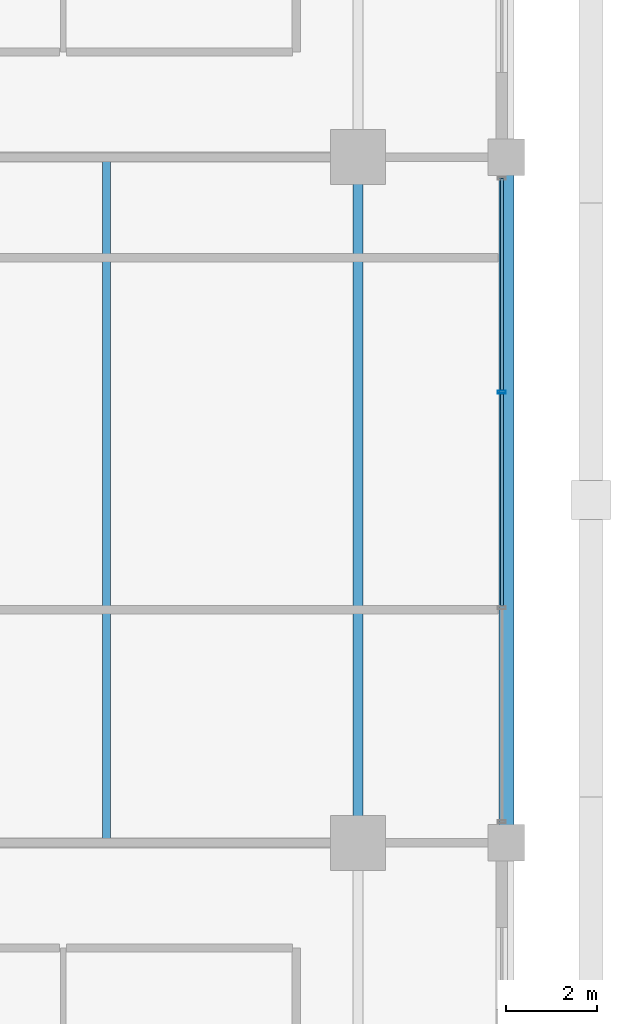
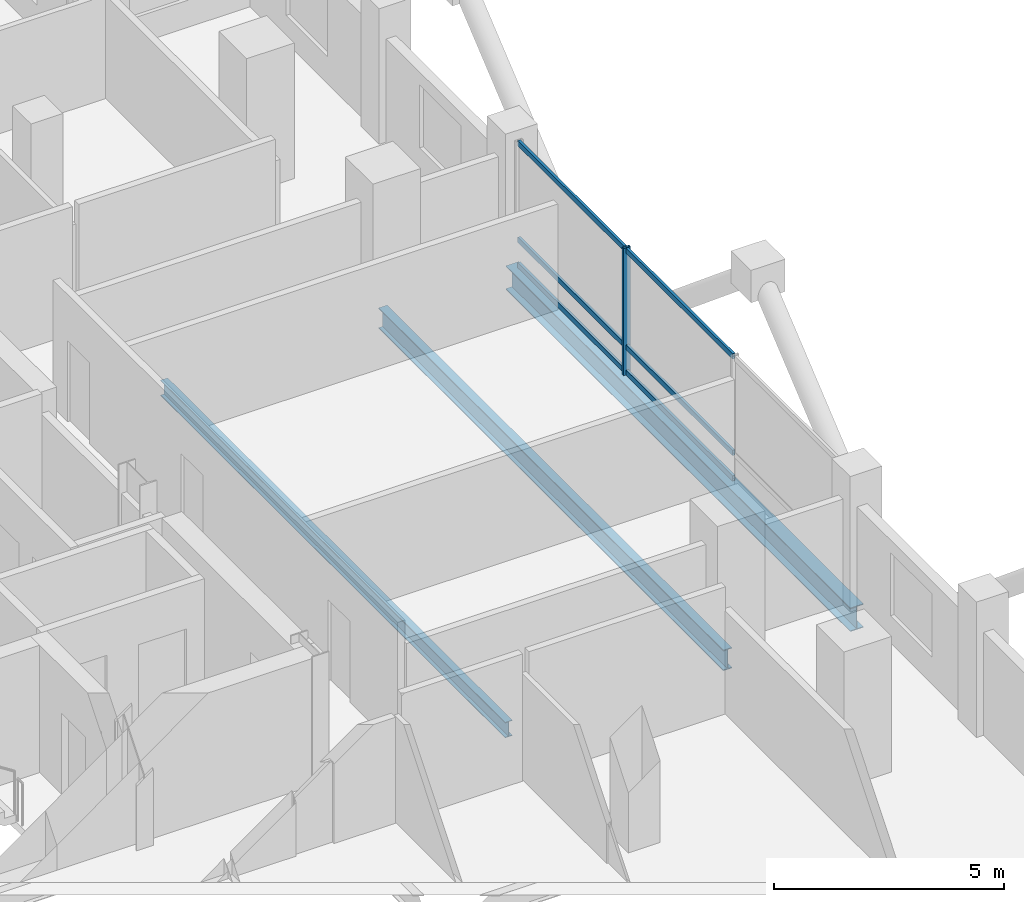
# One storey, part 9 of 23: 7 members, 3 beams, 1 element without a shape of its own.
"""IFC4 building model written with IfcOpenShell, lengths in metres."""

from ifc_helpers import new_model, si_unit, direction, frame, origin, origin_2d, place, context, subcontext, project, spatial, hollow_rectangle, i_section, extrude, material, layer, layer_set, material_profile, profile_set, type_object, element, aggregate, save


model = new_model("IFC4")

# Units and contexts
model_context = context("Model", 3, precision=1e-05, world=origin(), true_north=direction((0.0, 1.0)))
body_context = subcontext(model_context, "Body", "Model", "MODEL_VIEW")
ifc_project = project(units=[si_unit("LENGTHUNIT", "METRE"), si_unit("AREAUNIT", "SQUARE_METRE"), si_unit("VOLUMEUNIT", "CUBIC_METRE"), si_unit("PLANEANGLEUNIT", "RADIAN"), si_unit("MASSUNIT", "GRAM", prefix="KILO")], contexts=[model_context])

# Site, building, storey
site_placement = place(None, origin())
site = spatial("IfcSite", under=ifc_project, at=site_placement, CompositionType="ELEMENT")
building_placement = place(site_placement, origin())
building = spatial("IfcBuilding", under=site, at=building_placement, Name="Barlavira Tower and Art Museum", CompositionType="ELEMENT")
storey_placement = place(building_placement, frame((0.0, 0.0, 140.39990234375)))
storey = spatial("IfcBuildingStorey", under=building, at=storey_placement, Name="L35", CompositionType="ELEMENT", Elevation=140.39990234375)

# Curtain wall, members
ifc_material_1 = material(Name="Low-iron coastal laminated glass", Category="glass")
ifc_layer = layer(ifc_material_1, 0.18994140625, Name="Low-iron coastal laminated glass")
ifc_layer_set = layer_set([ifc_layer], Name="Low-iron coastal laminated glass")
curtain_wall_type = type_object("IfcCurtainWallType", Name="Pale-Metal Unitised Curtain Wall Zone 2", PredefinedType="NOTDEFINED", material=ifc_layer_set)
curtain_wall_placement = place(storey_placement, origin())
curtain_wall = element("IfcCurtainWall", 1, at=curtain_wall_placement, inside=storey, type_object=curtain_wall_type, Name="L35 Curtain Wall CW2-L35-E-B3", PredefinedType="NOTDEFINED")
ifc_material_2 = material(Name="Pale anodised aluminium", Category="aluminium")
ifc_material_profile_1 = material_profile(ifc_material_2, hollow_rectangle(XDim=0.06494140625, YDim=0.179931640625, WallThickness=0.00390625, at=origin_2d()), Name="ALU-MULL 65x180x4")
ifc_profile_set_1 = profile_set([ifc_material_profile_1], Name="Pale anodised aluminium")
member_type_1 = type_object("IfcMemberType", Name="Curtain Wall Pale-Metal Mullion 65x180", PredefinedType="MULLION", material=ifc_profile_set_1)
member_1_placement = place(storey_placement, frame((20.14990234375, 2.360107421875, 0.0), z_axis=(0.0, 0.0, 1.0), x_axis=(0.0, 1.0, 0.0)))
member_1 = element("IfcMember", 2, at=member_1_placement, type_object=member_type_1, Name="CW2-L35-E-B3 Mullion 2", PredefinedType="MULLION", context=body_context, shape_type="SweptSolid", body=[
    extrude(hollow_rectangle(XDim=0.06494140625, YDim=0.179931640625, WallThickness=0.00390625, at=origin_2d()), origin(), (0.0, 0.0, 1.0), 3.380126953125),
])
ifc_material_profile_2 = material_profile(ifc_material_2, hollow_rectangle(XDim=0.06494140625, YDim=0.139892578125, WallThickness=0.00390625, at=origin_2d()), Name="ALU-TRAN 65x140x4")
ifc_profile_set_2 = profile_set([ifc_material_profile_2], Name="Pale anodised aluminium")
member_type_2 = type_object("IfcMemberType", Name="Curtain Wall Pale-Metal Transom 65x140", PredefinedType="USERDEFINED", material=ifc_profile_set_2)
member_2_placement = place(storey_placement, frame((20.14990234375, -2.31494140625, 0.070068359375), z_axis=(0.0, 1.0, 0.0), x_axis=(-1.0, 0.0, 0.0)))
member_2 = element("IfcMember", 3, at=member_2_placement, type_object=member_type_2, Name="CW2-L35-E-B3 Transom 1.1", ObjectType="TRANSOM", PredefinedType="USERDEFINED", context=body_context, shape_type="SweptSolid", body=[
    extrude(hollow_rectangle(XDim=0.06494140625, YDim=0.139892578125, WallThickness=0.00390625, at=origin_2d()), origin(), (0.0, 0.0, 1.0), 4.6298828125),
])
member_3_placement = place(storey_placement, frame((20.14990234375, -2.31494140625, 0.744140625), z_axis=(0.0, 1.0, 0.0), x_axis=(-1.0, 0.0, 0.0)))
member_3 = element("IfcMember", 4, at=member_3_placement, type_object=member_type_2, Name="CW2-L35-E-B3 Transom 1.2", ObjectType="TRANSOM", PredefinedType="USERDEFINED", context=body_context, shape_type="SweptSolid", body=[
    extrude(hollow_rectangle(XDim=0.06494140625, YDim=0.139892578125, WallThickness=0.00390625, at=origin_2d()), origin(), (0.0, 0.0, 1.0), 4.6298828125),
])
member_4_placement = place(storey_placement, frame((20.14990234375, -2.31494140625, 3.31005859375), z_axis=(0.0, 1.0, 0.0), x_axis=(-1.0, 0.0, 0.0)))
member_4 = element("IfcMember", 5, at=member_4_placement, type_object=member_type_2, Name="CW2-L35-E-B3 Transom 1.3", ObjectType="TRANSOM", PredefinedType="USERDEFINED", context=body_context, shape_type="SweptSolid", body=[
    extrude(hollow_rectangle(XDim=0.06494140625, YDim=0.139892578125, WallThickness=0.00390625, at=origin_2d()), origin(), (0.0, 0.0, 1.0), 4.6298828125),
])
member_5_placement = place(storey_placement, frame((20.14990234375, 2.405029296875, 0.070068359375), z_axis=(0.0, 1.0, 0.0), x_axis=(-1.0, 0.0, 0.0)))
member_5 = element("IfcMember", 6, at=member_5_placement, type_object=member_type_2, Name="CW2-L35-E-B3 Transom 2.1", ObjectType="TRANSOM", PredefinedType="USERDEFINED", context=body_context, shape_type="SweptSolid", body=[
    extrude(hollow_rectangle(XDim=0.06494140625, YDim=0.139892578125, WallThickness=0.00390625, at=origin_2d()), origin(), (0.0, 0.0, 1.0), 4.6298828125),
])
member_6_placement = place(storey_placement, frame((20.14990234375, 2.405029296875, 0.744140625), z_axis=(0.0, 1.0, 0.0), x_axis=(-1.0, 0.0, 0.0)))
member_6 = element("IfcMember", 7, at=member_6_placement, type_object=member_type_2, Name="CW2-L35-E-B3 Transom 2.2", ObjectType="TRANSOM", PredefinedType="USERDEFINED", context=body_context, shape_type="SweptSolid", body=[
    extrude(hollow_rectangle(XDim=0.06494140625, YDim=0.139892578125, WallThickness=0.00390625, at=origin_2d()), origin(), (0.0, 0.0, 1.0), 4.6298828125),
])
member_7_placement = place(storey_placement, frame((20.14990234375, 2.405029296875, 3.31005859375), z_axis=(0.0, 1.0, 0.0), x_axis=(-1.0, 0.0, 0.0)))
member_7 = element("IfcMember", 8, at=member_7_placement, type_object=member_type_2, Name="CW2-L35-E-B3 Transom 2.3", ObjectType="TRANSOM", PredefinedType="USERDEFINED", context=body_context, shape_type="SweptSolid", body=[
    extrude(hollow_rectangle(XDim=0.06494140625, YDim=0.139892578125, WallThickness=0.00390625, at=origin_2d()), origin(), (0.0, 0.0, 1.0), 4.6298828125),
])
aggregate(curtain_wall, [member_1, member_2, member_3, member_4, member_5, member_6, member_7])

# Beams
ifc_material_3 = material(Name="Steel S355", Category="steel")
ifc_material_profile_3 = material_profile(ifc_material_3, i_section(OverallWidth=0.327880859375, OverallDepth=0.62890625, WebThickness=0.013916015625, FlangeThickness=0.021484375, at=origin_2d()), Name="W610x174.0")
ifc_profile_set_3 = profile_set([ifc_material_profile_3], Name="Steel S355")
beam_type_1 = type_object("IfcBeamType", Name="Perimeter Spandrel Edge Beam W610x174 Steel S355", PredefinedType="SPANDREL", material=ifc_profile_set_3)
beam_1_placement = place(storey_placement, frame((20.25, -7.5, -0.534423828125), z_axis=(0.0, 1.0, 0.0), x_axis=(-1.0, 0.0, 0.0)))
element("IfcBeam", 9, at=beam_1_placement, inside=storey, type_object=beam_type_1, Name="L35 Spandrel 6", PredefinedType="SPANDREL", context=body_context, shape_type="SweptSolid", body=[
    extrude(i_section(OverallWidth=0.327880859375, OverallDepth=0.62890625, WebThickness=0.013916015625, FlangeThickness=0.021484375, at=origin_2d()), origin(), (0.0, 0.0, 1.0), 15.0),
])
ifc_material_profile_4 = material_profile(ifc_material_3, i_section(OverallWidth=0.214111328125, OverallDepth=0.549072265625, WebThickness=0.0146484375, FlangeThickness=0.023681640625, at=origin_2d()), Name="W530x138.0")
ifc_profile_set_4 = profile_set([ifc_material_profile_4], Name="Steel S355")
beam_type_2 = type_object("IfcBeamType", Name="Zone 1 Primary Floor Girder W530x138 Steel S355", PredefinedType="BEAM", material=ifc_profile_set_4)
beam_2_placement = place(storey_placement, frame((17.0, -7.5, -0.494384765625), z_axis=(0.0, 1.0, 0.0), x_axis=(-1.0, 0.0, 0.0)))
element("IfcBeam", 10, at=beam_2_placement, inside=storey, type_object=beam_type_2, Name="L35 Girder M-E2", PredefinedType="BEAM", context=body_context, shape_type="SweptSolid", body=[
    extrude(i_section(OverallWidth=0.214111328125, OverallDepth=0.549072265625, WebThickness=0.0146484375, FlangeThickness=0.023681640625, at=origin_2d()), origin(), (0.0, 0.0, 1.0), 15.0),
])
ifc_material_profile_5 = material_profile(ifc_material_3, i_section(OverallWidth=0.179931640625, OverallDepth=0.4130859375, WebThickness=0.009765625, FlangeThickness=0.01611328125, at=origin_2d()), Name="W410x75.0")
ifc_profile_set_5 = profile_set([ifc_material_profile_5], Name="Steel S355")
beam_type_3 = type_object("IfcBeamType", Name="Zone 2 Composite Floor Joist W410x75 Steel S355", PredefinedType="JOIST", material=ifc_profile_set_5)
beam_3_placement = place(storey_placement, frame((11.5, -7.5, -0.426513671875), z_axis=(0.0, 1.0, 0.0), x_axis=(-1.0, 0.0, 0.0)))
element("IfcBeam", 11, at=beam_3_placement, inside=storey, type_object=beam_type_3, Name="L35 Joist W2", PredefinedType="JOIST", context=body_context, shape_type="SweptSolid", body=[
    extrude(i_section(OverallWidth=0.179931640625, OverallDepth=0.4130859375, WebThickness=0.009765625, FlangeThickness=0.01611328125, at=origin_2d()), origin(), (0.0, 0.0, 1.0), 15.0),
])

save(model, "model.ifc")
